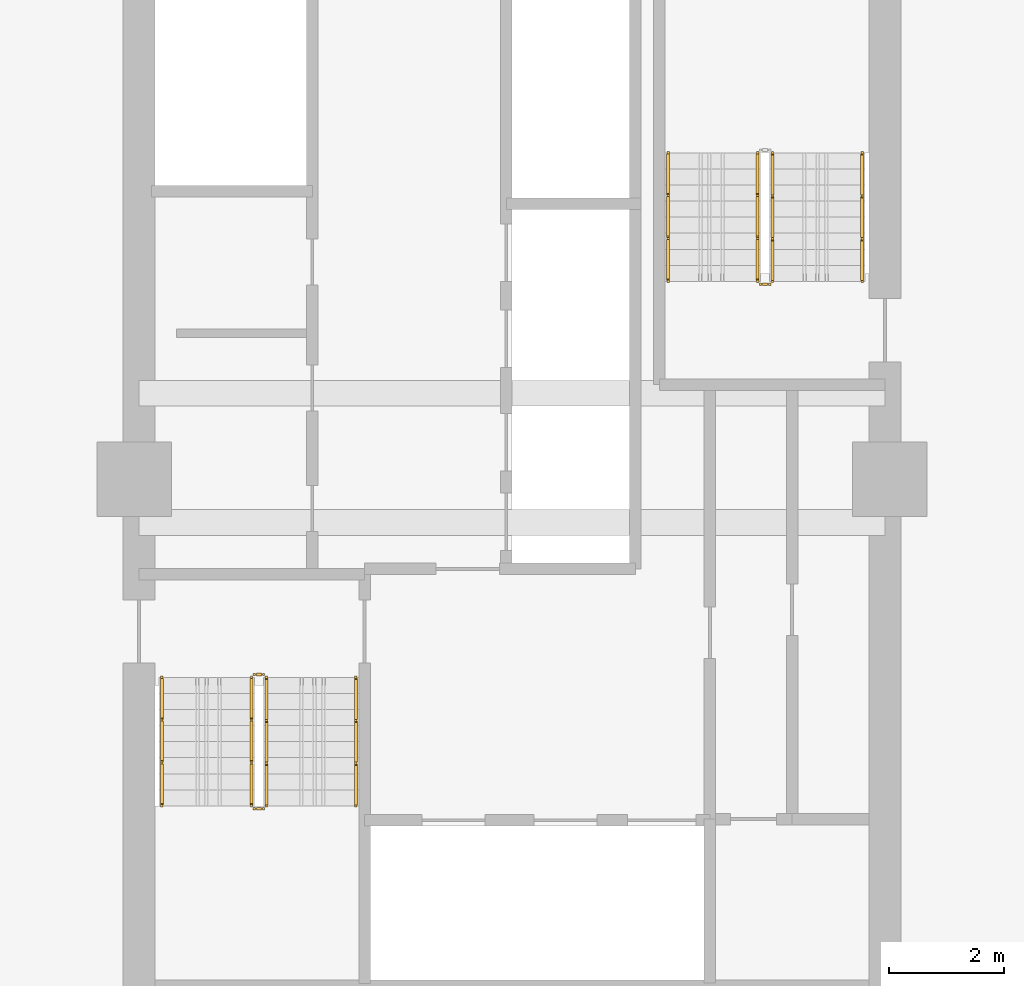
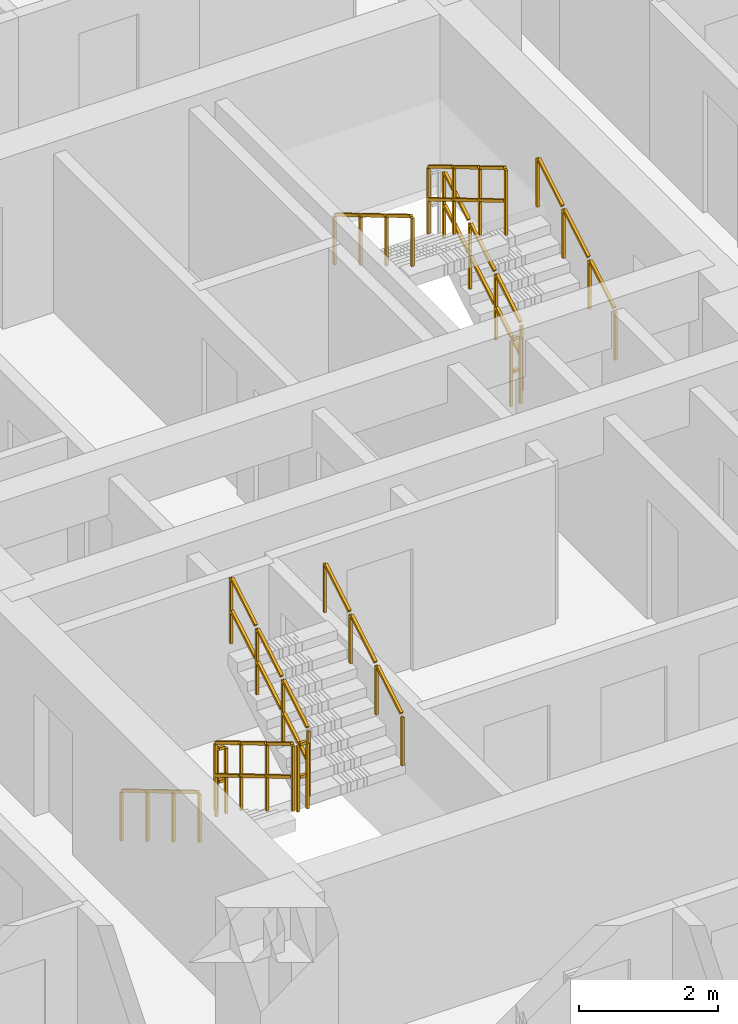
# One storey, part 11 of 13: 11 railings.
"""IFC4 building model written with IfcOpenShell, lengths in metres."""

from ifc_helpers import new_model, si_unit, direction, frame, origin, origin_2d, place, context, subcontext, project, spatial, rectangle, extrude, material, type_object, element, save


model = new_model("IFC4")

# Units and contexts
model_context = context("Model", 3, precision=1e-05, world=origin(), true_north=direction((0.0, 1.0)))
body_context = subcontext(model_context, "Body", "Model", "MODEL_VIEW")
ifc_project = project(units=[si_unit("LENGTHUNIT", "METRE"), si_unit("AREAUNIT", "SQUARE_METRE"), si_unit("VOLUMEUNIT", "CUBIC_METRE"), si_unit("PLANEANGLEUNIT", "RADIAN"), si_unit("MASSUNIT", "GRAM", prefix="KILO")], contexts=[model_context])

# Site, building, storey
site_placement = place(None, origin())
site = spatial("IfcSite", under=ifc_project, at=site_placement, CompositionType="ELEMENT")
building_placement = place(site_placement, origin())
building = spatial("IfcBuilding", under=site, at=building_placement, Name="Saelheon Loggia Tower", CompositionType="ELEMENT")
storey_placement = place(building_placement, frame((0.0, 0.0, 110.85009765625)))
storey = spatial("IfcBuildingStorey", under=building, at=storey_placement, Name="L35", CompositionType="ELEMENT", Elevation=110.85009765625)

# Railings
ifc_material_1 = material(Name="Galvanised Steel S275 Stairwell Guardrail", Category="steel")
railing_type_1 = type_object("IfcRailingType", Name="Guard_StairWell_RL_STG", PredefinedType="GUARDRAIL", material=ifc_material_1)
railing_1_placement = place(storey_placement, frame((33.4599609375, 23.550048828125, 0.16650390625)))
element("IfcRailing", 1, at=railing_1_placement, inside=storey, type_object=railing_type_1, Name="L35 ST1 stair guard 1", PredefinedType="GUARDRAIL", context=body_context, shape_type="SweptSolid", body=[
    extrude(rectangle(XDim=0.048095703125, YDim=0.048095703125, at=origin_2d()), frame((0.0, -0.028564453125, 1.19287109375), z_axis=(0.0, -0.859264461869, 0.511531606619), x_axis=(1.0, 0.0, 0.0)), (0.0, 0.0, 1.0), 0.802490234375),
    extrude(rectangle(XDim=0.048095703125, YDim=0.048095703125, at=origin_2d()), frame((0.0, -0.028564453125, 0.616943359375), z_axis=(0.0, -0.859264461869, 0.511531606619), x_axis=(1.0, 0.0, 0.0)), (0.0, 0.0, 1.0), 0.802490234375),
    extrude(rectangle(XDim=0.048095703125, YDim=0.048095703125, at=origin_2d()), frame((0.0, -0.775146484375, 1.637451171875), z_axis=(0.0, -0.859264461869, 0.511531606619), x_axis=(1.0, 0.0, 0.0)), (0.0, 0.0, 1.0), 0.802490234375),
    extrude(rectangle(XDim=0.048095703125, YDim=0.048095703125, at=origin_2d()), frame((0.0, -0.775146484375, 1.0615234375), z_axis=(0.0, -0.859264461869, 0.511531606619), x_axis=(1.0, 0.0, 0.0)), (0.0, 0.0, 1.0), 0.802490234375),
    extrude(rectangle(XDim=0.048095703125, YDim=0.048095703125, at=origin_2d()), frame((0.0, -1.52197265625, 2.081787109375), z_axis=(0.0, -0.859264461869, 0.511531606619), x_axis=(1.0, 0.0, 0.0)), (0.0, 0.0, 1.0), 0.802490234375),
    extrude(rectangle(XDim=0.048095703125, YDim=0.048095703125, at=origin_2d()), frame((0.0, -1.52197265625, 1.505859375), z_axis=(0.0, -0.859264461869, 0.511531606619), x_axis=(1.0, 0.0, 0.0)), (0.0, 0.0, 1.0), 0.802490234375),
    extrude(rectangle(XDim=0.0419921875, YDim=0.0419921875, at=origin_2d()), origin(), (0.0, 0.0, 1.0), 1.14794921875),
    extrude(rectangle(XDim=0.0419921875, YDim=0.0419921875, at=origin_2d()), frame((0.0, -0.74658203125, 0.444580078125)), (0.0, 0.0, 1.0), 1.14794921875),
    extrude(rectangle(XDim=0.0419921875, YDim=0.0419921875, at=origin_2d()), frame((0.0, -1.493408203125, 0.888916015625)), (0.0, 0.0, 1.0), 1.14794921875),
    extrude(rectangle(XDim=0.0419921875, YDim=0.0419921875, at=origin_2d()), frame((0.0, -2.239990234375, 1.33349609375)), (0.0, 0.0, 1.0), 1.14794921875),
])
railing_2_placement = place(storey_placement, frame((33.510009765625, 21.260009765625, 1.5)))
element("IfcRailing", 2, at=railing_2_placement, inside=storey, type_object=railing_type_1, Name="L35 ST1 stair guard 2", PredefinedType="GUARDRAIL", context=body_context, shape_type="SweptSolid", body=[
    extrude(rectangle(XDim=0.048095703125, YDim=0.048095703125, at=origin_2d()), frame((0.033203125, 0.0, 1.17578125), z_axis=(1.0, 0.0, 0.0), x_axis=(0.0, 1.0, 0.0)), (0.0, 0.0, 1.0), 0.093505859375),
    extrude(rectangle(XDim=0.048095703125, YDim=0.048095703125, at=origin_2d()), frame((0.033203125, 0.0, 0.60009765625), z_axis=(1.0, 0.0, 0.0), x_axis=(0.0, 1.0, 0.0)), (0.0, 0.0, 1.0), 0.093505859375),
    extrude(rectangle(XDim=0.0419921875, YDim=0.0419921875, at=origin_2d()), origin(), (0.0, 0.0, 1.0), 1.14794921875),
    extrude(rectangle(XDim=0.0419921875, YDim=0.0419921875, at=origin_2d()), frame((0.159912109375, 0.0, 0.0)), (0.0, 0.0, 1.0), 1.14794921875),
])
railing_3_placement = place(storey_placement, frame((33.719970703125, 21.31005859375, 1.66650390625)))
element("IfcRailing", 3, at=railing_3_placement, inside=storey, type_object=railing_type_1, Name="L35 ST1 stair guard 3", PredefinedType="GUARDRAIL", context=body_context, shape_type="SweptSolid", body=[
    extrude(rectangle(XDim=0.048095703125, YDim=0.048095703125, at=origin_2d()), frame((0.0, 0.028564453125, 1.19287109375), z_axis=(0.0, 0.859264461869, 0.511531606619), x_axis=(-1.0, 0.0, 0.0)), (0.0, 0.0, 1.0), 0.802490234375),
    extrude(rectangle(XDim=0.048095703125, YDim=0.048095703125, at=origin_2d()), frame((0.0, 0.028564453125, 0.616943359375), z_axis=(0.0, 0.859264461869, 0.511531606619), x_axis=(-1.0, 0.0, 0.0)), (0.0, 0.0, 1.0), 0.802490234375),
    extrude(rectangle(XDim=0.048095703125, YDim=0.048095703125, at=origin_2d()), frame((0.0, 0.775146484375, 1.637451171875), z_axis=(0.0, 0.859264461869, 0.511531606619), x_axis=(-1.0, 0.0, 0.0)), (0.0, 0.0, 1.0), 0.802490234375),
    extrude(rectangle(XDim=0.048095703125, YDim=0.048095703125, at=origin_2d()), frame((0.0, 0.775146484375, 1.0615234375), z_axis=(0.0, 0.859264461869, 0.511531606619), x_axis=(-1.0, 0.0, 0.0)), (0.0, 0.0, 1.0), 0.802490234375),
    extrude(rectangle(XDim=0.048095703125, YDim=0.048095703125, at=origin_2d()), frame((0.0, 1.52197265625, 2.081787109375), z_axis=(0.0, 0.859264461869, 0.511531606619), x_axis=(-1.0, 0.0, 0.0)), (0.0, 0.0, 1.0), 0.802490234375),
    extrude(rectangle(XDim=0.048095703125, YDim=0.048095703125, at=origin_2d()), frame((0.0, 1.52197265625, 1.505859375), z_axis=(0.0, 0.859264461869, 0.511531606619), x_axis=(-1.0, 0.0, 0.0)), (0.0, 0.0, 1.0), 0.802490234375),
    extrude(rectangle(XDim=0.0419921875, YDim=0.0419921875, at=origin_2d()), origin(), (0.0, 0.0, 1.0), 1.14794921875),
    extrude(rectangle(XDim=0.0419921875, YDim=0.0419921875, at=origin_2d()), frame((0.0, 0.74658203125, 0.444580078125)), (0.0, 0.0, 1.0), 1.14794921875),
    extrude(rectangle(XDim=0.0419921875, YDim=0.0419921875, at=origin_2d()), frame((0.0, 1.493408203125, 0.888916015625)), (0.0, 0.0, 1.0), 1.14794921875),
    extrude(rectangle(XDim=0.0419921875, YDim=0.0419921875, at=origin_2d()), frame((0.0, 2.239990234375, 1.33349609375)), (0.0, 0.0, 1.0), 1.14794921875),
])
railing_4_placement = place(storey_placement, frame((33.510009765625, 23.60009765625, 0.0)))
element("IfcRailing", 4, at=railing_4_placement, inside=storey, type_object=railing_type_1, Name="L35 ST1 stair guard 4", PredefinedType="GUARDRAIL", context=body_context, shape_type="SweptSolid", body=[
    extrude(rectangle(XDim=0.048095703125, YDim=0.048095703125, at=origin_2d()), frame((0.033203125, 0.0, 1.17578125), z_axis=(1.0, 0.0, 0.0), x_axis=(0.0, 1.0, 0.0)), (0.0, 0.0, 1.0), 0.093505859375),
    extrude(rectangle(XDim=0.048095703125, YDim=0.048095703125, at=origin_2d()), frame((0.033203125, 0.0, 0.60009765625), z_axis=(1.0, 0.0, 0.0), x_axis=(0.0, 1.0, 0.0)), (0.0, 0.0, 1.0), 0.093505859375),
    extrude(rectangle(XDim=0.0419921875, YDim=0.0419921875, at=origin_2d()), origin(), (0.0, 0.0, 1.0), 1.14794921875),
    extrude(rectangle(XDim=0.0419921875, YDim=0.0419921875, at=origin_2d()), frame((0.159912109375, 0.0, 0.0)), (0.0, 0.0, 1.0), 1.14794921875),
])
railing_5_placement = place(storey_placement, frame((42.5400390625, 30.449951171875, 0.16650390625)))
element("IfcRailing", 5, at=railing_5_placement, inside=storey, type_object=railing_type_1, Name="L35 ST2 stair guard 1", PredefinedType="GUARDRAIL", context=body_context, shape_type="SweptSolid", body=[
    extrude(rectangle(XDim=0.048095703125, YDim=0.048095703125, at=origin_2d()), frame((0.0, 0.028564453125, 1.19287109375), z_axis=(0.0, 0.859264461869, 0.511531606619), x_axis=(-1.0, 0.0, 0.0)), (0.0, 0.0, 1.0), 0.802490234375),
    extrude(rectangle(XDim=0.048095703125, YDim=0.048095703125, at=origin_2d()), frame((0.0, 0.028564453125, 0.616943359375), z_axis=(0.0, 0.859264461869, 0.511531606619), x_axis=(-1.0, 0.0, 0.0)), (0.0, 0.0, 1.0), 0.802490234375),
    extrude(rectangle(XDim=0.048095703125, YDim=0.048095703125, at=origin_2d()), frame((0.0, 0.775146484375, 1.637451171875), z_axis=(0.0, 0.859264461869, 0.511531606619), x_axis=(-1.0, 0.0, 0.0)), (0.0, 0.0, 1.0), 0.802490234375),
    extrude(rectangle(XDim=0.048095703125, YDim=0.048095703125, at=origin_2d()), frame((0.0, 0.775146484375, 1.0615234375), z_axis=(0.0, 0.859264461869, 0.511531606619), x_axis=(-1.0, 0.0, 0.0)), (0.0, 0.0, 1.0), 0.802490234375),
    extrude(rectangle(XDim=0.048095703125, YDim=0.048095703125, at=origin_2d()), frame((0.0, 1.52197265625, 2.081787109375), z_axis=(0.0, 0.859264461869, 0.511531606619), x_axis=(-1.0, 0.0, 0.0)), (0.0, 0.0, 1.0), 0.802490234375),
    extrude(rectangle(XDim=0.048095703125, YDim=0.048095703125, at=origin_2d()), frame((0.0, 1.52197265625, 1.505859375), z_axis=(0.0, 0.859264461869, 0.511531606619), x_axis=(-1.0, 0.0, 0.0)), (0.0, 0.0, 1.0), 0.802490234375),
    extrude(rectangle(XDim=0.0419921875, YDim=0.0419921875, at=origin_2d()), origin(), (0.0, 0.0, 1.0), 1.14794921875),
    extrude(rectangle(XDim=0.0419921875, YDim=0.0419921875, at=origin_2d()), frame((0.0, 0.74658203125, 0.444580078125)), (0.0, 0.0, 1.0), 1.14794921875),
    extrude(rectangle(XDim=0.0419921875, YDim=0.0419921875, at=origin_2d()), frame((0.0, 1.493408203125, 0.888916015625)), (0.0, 0.0, 1.0), 1.14794921875),
    extrude(rectangle(XDim=0.0419921875, YDim=0.0419921875, at=origin_2d()), frame((0.0, 2.239990234375, 1.33349609375)), (0.0, 0.0, 1.0), 1.14794921875),
])
railing_6_placement = place(storey_placement, frame((42.280029296875, 32.68994140625, 1.66650390625)))
element("IfcRailing", 6, at=railing_6_placement, inside=storey, type_object=railing_type_1, Name="L35 ST2 stair guard 3", PredefinedType="GUARDRAIL", context=body_context, shape_type="SweptSolid", body=[
    extrude(rectangle(XDim=0.048095703125, YDim=0.048095703125, at=origin_2d()), frame((0.0, -0.028564453125, 1.19287109375), z_axis=(0.0, -0.859264461869, 0.511531606619), x_axis=(1.0, 0.0, 0.0)), (0.0, 0.0, 1.0), 0.802490234375),
    extrude(rectangle(XDim=0.048095703125, YDim=0.048095703125, at=origin_2d()), frame((0.0, -0.028564453125, 0.616943359375), z_axis=(0.0, -0.859264461869, 0.511531606619), x_axis=(1.0, 0.0, 0.0)), (0.0, 0.0, 1.0), 0.802490234375),
    extrude(rectangle(XDim=0.048095703125, YDim=0.048095703125, at=origin_2d()), frame((0.0, -0.775146484375, 1.637451171875), z_axis=(0.0, -0.859264461869, 0.511531606619), x_axis=(1.0, 0.0, 0.0)), (0.0, 0.0, 1.0), 0.802490234375),
    extrude(rectangle(XDim=0.048095703125, YDim=0.048095703125, at=origin_2d()), frame((0.0, -0.775146484375, 1.0615234375), z_axis=(0.0, -0.859264461869, 0.511531606619), x_axis=(1.0, 0.0, 0.0)), (0.0, 0.0, 1.0), 0.802490234375),
    extrude(rectangle(XDim=0.048095703125, YDim=0.048095703125, at=origin_2d()), frame((0.0, -1.52197265625, 2.081787109375), z_axis=(0.0, -0.859264461869, 0.511531606619), x_axis=(1.0, 0.0, 0.0)), (0.0, 0.0, 1.0), 0.802490234375),
    extrude(rectangle(XDim=0.048095703125, YDim=0.048095703125, at=origin_2d()), frame((0.0, -1.52197265625, 1.505859375), z_axis=(0.0, -0.859264461869, 0.511531606619), x_axis=(1.0, 0.0, 0.0)), (0.0, 0.0, 1.0), 0.802490234375),
    extrude(rectangle(XDim=0.0419921875, YDim=0.0419921875, at=origin_2d()), origin(), (0.0, 0.0, 1.0), 1.14794921875),
    extrude(rectangle(XDim=0.0419921875, YDim=0.0419921875, at=origin_2d()), frame((0.0, -0.74658203125, 0.444580078125)), (0.0, 0.0, 1.0), 1.14794921875),
    extrude(rectangle(XDim=0.0419921875, YDim=0.0419921875, at=origin_2d()), frame((0.0, -1.493408203125, 0.888916015625)), (0.0, 0.0, 1.0), 1.14794921875),
    extrude(rectangle(XDim=0.0419921875, YDim=0.0419921875, at=origin_2d()), frame((0.0, -2.239990234375, 1.33349609375)), (0.0, 0.0, 1.0), 1.14794921875),
])
railing_7_placement = place(storey_placement, frame((42.489990234375, 30.39990234375, 0.0)))
element("IfcRailing", 7, at=railing_7_placement, inside=storey, type_object=railing_type_1, Name="L35 ST2 stair guard 4", PredefinedType="GUARDRAIL", context=body_context, shape_type="SweptSolid", body=[
    extrude(rectangle(XDim=0.048095703125, YDim=0.048095703125, at=origin_2d()), frame((-0.033203125, 0.0, 1.17578125), z_axis=(-1.0, 0.0, 0.0), x_axis=(0.0, -1.0, 0.0)), (0.0, 0.0, 1.0), 0.093505859375),
    extrude(rectangle(XDim=0.048095703125, YDim=0.048095703125, at=origin_2d()), frame((-0.033203125, 0.0, 0.60009765625), z_axis=(-1.0, 0.0, 0.0), x_axis=(0.0, -1.0, 0.0)), (0.0, 0.0, 1.0), 0.093505859375),
    extrude(rectangle(XDim=0.0419921875, YDim=0.0419921875, at=origin_2d()), origin(), (0.0, 0.0, 1.0), 1.14794921875),
    extrude(rectangle(XDim=0.0419921875, YDim=0.0419921875, at=origin_2d()), frame((-0.159912109375, 0.0, 0.0)), (0.0, 0.0, 1.0), 1.14794921875),
])
ifc_material_2 = material(Name="Stainless Steel 304 Tubular Handrail", Category="steel")
railing_type_2 = type_object("IfcRailingType", Name="Handrail_Stair_RL_HR1", PredefinedType="HANDRAIL", material=ifc_material_2)
railing_8_placement = place(storey_placement, frame((31.89990234375, 23.550048828125, 0.16650390625)))
element("IfcRailing", 8, at=railing_8_placement, inside=storey, type_object=railing_type_2, Name="L35 ST1 stair handrail 1", PredefinedType="HANDRAIL", context=body_context, shape_type="SweptSolid", body=[
    extrude(rectangle(XDim=0.048095703125, YDim=0.048095703125, at=origin_2d()), frame((0.0, -0.028564453125, 0.892822265625), z_axis=(0.0, -0.859264461869, 0.511531606619), x_axis=(1.0, 0.0, 0.0)), (0.0, 0.0, 1.0), 0.802490234375),
    extrude(rectangle(XDim=0.048095703125, YDim=0.048095703125, at=origin_2d()), frame((0.0, -0.775146484375, 1.33740234375), z_axis=(0.0, -0.859264461869, 0.511531606619), x_axis=(1.0, 0.0, 0.0)), (0.0, 0.0, 1.0), 0.802490234375),
    extrude(rectangle(XDim=0.048095703125, YDim=0.048095703125, at=origin_2d()), frame((0.0, -1.52197265625, 1.78173828125), z_axis=(0.0, -0.859264461869, 0.511531606619), x_axis=(1.0, 0.0, 0.0)), (0.0, 0.0, 1.0), 0.802490234375),
    extrude(rectangle(XDim=0.0419921875, YDim=0.0419921875, at=origin_2d()), origin(), (0.0, 0.0, 1.0), 0.847900390625),
    extrude(rectangle(XDim=0.0419921875, YDim=0.0419921875, at=origin_2d()), frame((0.0, -0.74658203125, 0.444580078125)), (0.0, 0.0, 1.0), 0.847900390625),
    extrude(rectangle(XDim=0.0419921875, YDim=0.0419921875, at=origin_2d()), frame((0.0, -1.493408203125, 0.888916015625)), (0.0, 0.0, 1.0), 0.847900390625),
    extrude(rectangle(XDim=0.0419921875, YDim=0.0419921875, at=origin_2d()), frame((0.0, -2.239990234375, 1.33349609375)), (0.0, 0.0, 1.0), 0.847900390625),
])
for number, where, name in (
    (9, (35.280029296875, 21.31005859375, 1.66650390625), "L35 ST1 stair handrail 2"),
    (10, (44.10009765625, 30.449951171875, 0.16650390625), "L35 ST2 stair handrail 1"),
):
    element("IfcRailing", number, at=place(storey_placement, frame(where)), inside=storey, type_object=railing_type_2, Name=name, PredefinedType="HANDRAIL", context=body_context, shape_type="SweptSolid", body=[
        extrude(rectangle(XDim=0.048095703125, YDim=0.048095703125, at=origin_2d()), frame((0.0, 0.028564453125, 0.892822265625), z_axis=(0.0, 0.859264461869, 0.511531606619), x_axis=(-1.0, 0.0, 0.0)), (0.0, 0.0, 1.0), 0.802490234375),
        extrude(rectangle(XDim=0.048095703125, YDim=0.048095703125, at=origin_2d()), frame((0.0, 0.775146484375, 1.33740234375), z_axis=(0.0, 0.859264461869, 0.511531606619), x_axis=(-1.0, 0.0, 0.0)), (0.0, 0.0, 1.0), 0.802490234375),
        extrude(rectangle(XDim=0.048095703125, YDim=0.048095703125, at=origin_2d()), frame((0.0, 1.52197265625, 1.78173828125), z_axis=(0.0, 0.859264461869, 0.511531606619), x_axis=(-1.0, 0.0, 0.0)), (0.0, 0.0, 1.0), 0.802490234375),
        extrude(rectangle(XDim=0.0419921875, YDim=0.0419921875, at=origin_2d()), origin(), (0.0, 0.0, 1.0), 0.847900390625),
        extrude(rectangle(XDim=0.0419921875, YDim=0.0419921875, at=origin_2d()), frame((0.0, 0.74658203125, 0.444580078125)), (0.0, 0.0, 1.0), 0.847900390625),
        extrude(rectangle(XDim=0.0419921875, YDim=0.0419921875, at=origin_2d()), frame((0.0, 1.493408203125, 0.888916015625)), (0.0, 0.0, 1.0), 0.847900390625),
        extrude(rectangle(XDim=0.0419921875, YDim=0.0419921875, at=origin_2d()), frame((0.0, 2.239990234375, 1.33349609375)), (0.0, 0.0, 1.0), 0.847900390625),
    ])
railing_9_placement = place(storey_placement, frame((40.719970703125, 32.68994140625, 1.66650390625)))
element("IfcRailing", 11, at=railing_9_placement, inside=storey, type_object=railing_type_2, Name="L35 ST2 stair handrail 2", PredefinedType="HANDRAIL", context=body_context, shape_type="SweptSolid", body=[
    extrude(rectangle(XDim=0.048095703125, YDim=0.048095703125, at=origin_2d()), frame((0.0, -0.028564453125, 0.892822265625), z_axis=(0.0, -0.859264461869, 0.511531606619), x_axis=(1.0, 0.0, 0.0)), (0.0, 0.0, 1.0), 0.802490234375),
    extrude(rectangle(XDim=0.048095703125, YDim=0.048095703125, at=origin_2d()), frame((0.0, -0.775146484375, 1.33740234375), z_axis=(0.0, -0.859264461869, 0.511531606619), x_axis=(1.0, 0.0, 0.0)), (0.0, 0.0, 1.0), 0.802490234375),
    extrude(rectangle(XDim=0.048095703125, YDim=0.048095703125, at=origin_2d()), frame((0.0, -1.52197265625, 1.78173828125), z_axis=(0.0, -0.859264461869, 0.511531606619), x_axis=(1.0, 0.0, 0.0)), (0.0, 0.0, 1.0), 0.802490234375),
    extrude(rectangle(XDim=0.0419921875, YDim=0.0419921875, at=origin_2d()), origin(), (0.0, 0.0, 1.0), 0.847900390625),
    extrude(rectangle(XDim=0.0419921875, YDim=0.0419921875, at=origin_2d()), frame((0.0, -0.74658203125, 0.444580078125)), (0.0, 0.0, 1.0), 0.847900390625),
    extrude(rectangle(XDim=0.0419921875, YDim=0.0419921875, at=origin_2d()), frame((0.0, -1.493408203125, 0.888916015625)), (0.0, 0.0, 1.0), 0.847900390625),
    extrude(rectangle(XDim=0.0419921875, YDim=0.0419921875, at=origin_2d()), frame((0.0, -2.239990234375, 1.33349609375)), (0.0, 0.0, 1.0), 0.847900390625),
])

save(model, "model.ifc")
